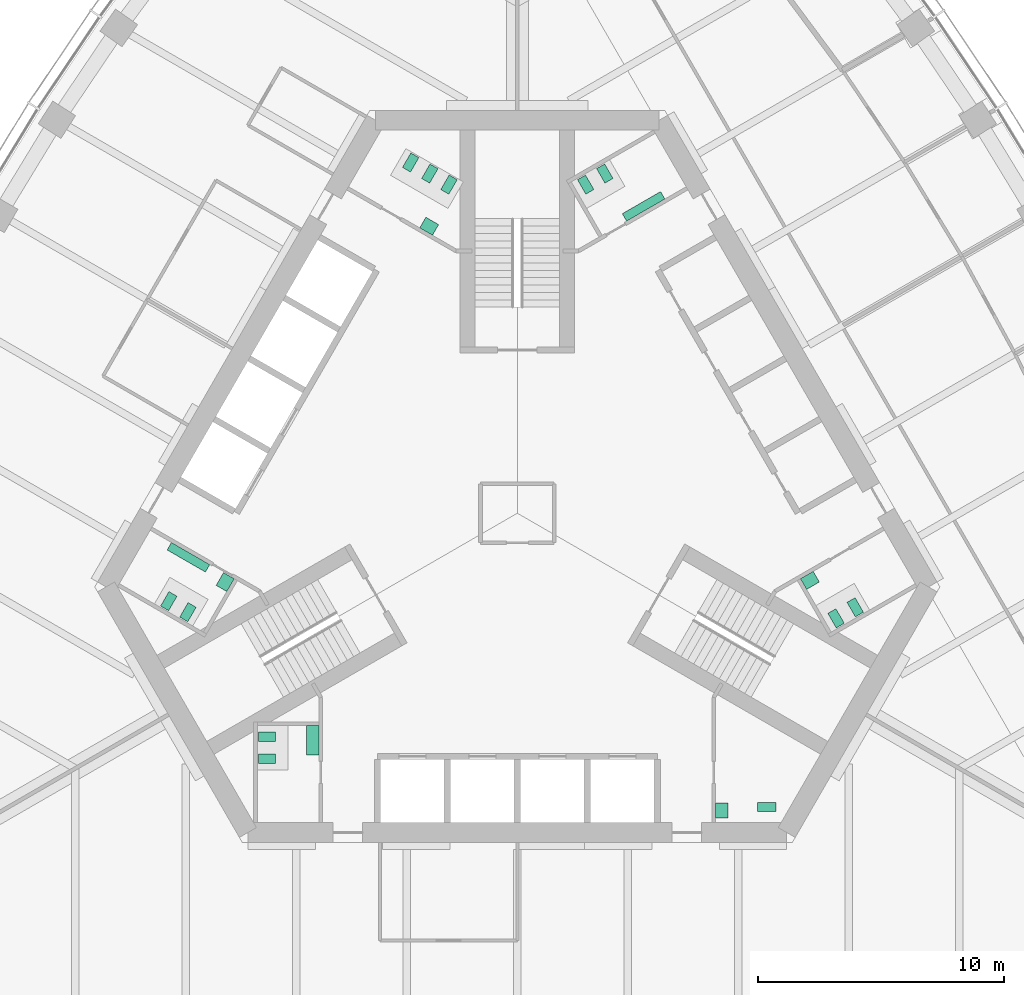
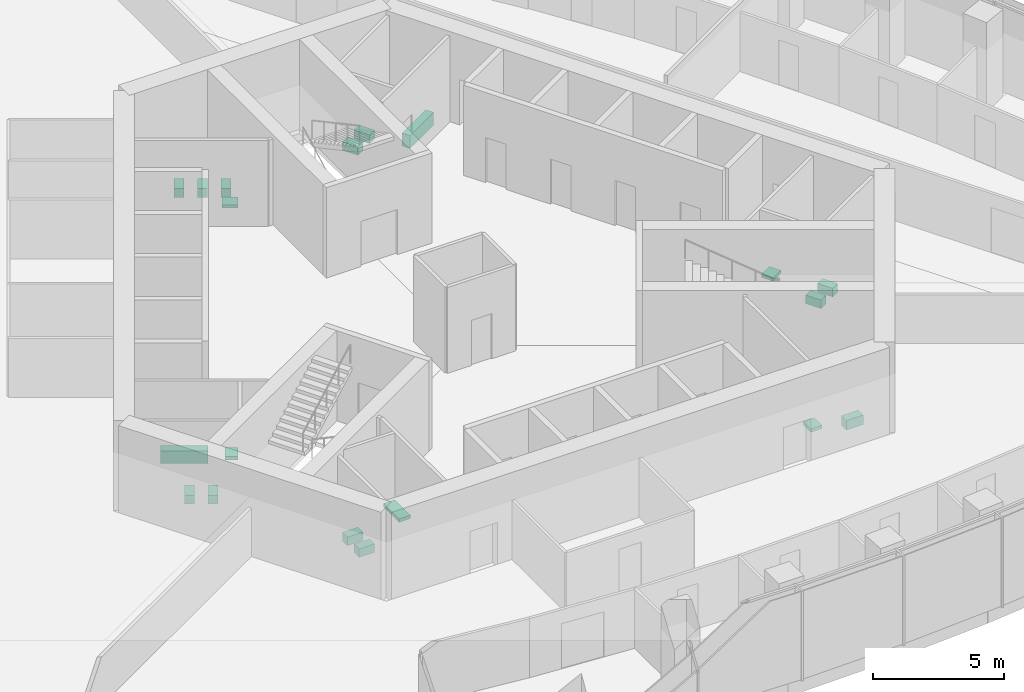
# One storey, part 19 of 20: 19 sanitary terminals.
"""IFC4 building model written with IfcOpenShell, lengths in metres."""

from ifc_helpers import new_model, si_unit, direction, frame, origin, place, context, subcontext, project, spatial, polyline, outline, extrude, material, type_object, element, save


model = new_model("IFC4")

# Units and contexts
model_context = context("Model", 3, precision=1e-05, world=origin(), true_north=direction((0.0, 1.0)))
body_context = subcontext(model_context, "Body", "Model", "MODEL_VIEW")
ifc_project = project(units=[si_unit("LENGTHUNIT", "METRE"), si_unit("AREAUNIT", "SQUARE_METRE"), si_unit("VOLUMEUNIT", "CUBIC_METRE"), si_unit("PLANEANGLEUNIT", "RADIAN"), si_unit("MASSUNIT", "GRAM", prefix="KILO")], contexts=[model_context])

# Site, building, storey
site_placement = place(None, origin())
site = spatial("IfcSite", under=ifc_project, at=site_placement, CompositionType="ELEMENT")
building_placement = place(site_placement, origin())
building = spatial("IfcBuilding", under=site, at=building_placement, Name="Trefoil Bronze Tower", CompositionType="ELEMENT")
storey_placement = place(building_placement, frame((0.0, 0.0, 210.699951171875)))
storey = spatial("IfcBuildingStorey", under=building, at=storey_placement, Name="L48", CompositionType="ELEMENT", Elevation=210.699951171875)

# Sanitary terminals
ifc_material_1 = material(Name="Vitreous china", Category="ceramic")
sanitary_terminal_type_1 = type_object("IfcSanitaryTerminalType", Name="Accessible WC pan", PredefinedType="TOILETPAN", material=ifc_material_1)
sanitary_terminal_1_placement = place(storey_placement, origin())
element("IfcSanitaryTerminal", 1, at=sanitary_terminal_1_placement, inside=storey, type_object=sanitary_terminal_type_1, Name="WC pan 1 Accessible WC L48", PredefinedType="TOILETPAN", context=body_context, shape_type="SweptSolid", body=[
    extrude(outline(polyline([(9.784912109375, -11.77001953125), (10.534912109375, -11.77001953125), (10.534912109375, -12.14990234375), (9.784912109375, -12.14990234375), (9.784912109375, -11.77001953125)])), origin(), (0.0, 0.0, 1.0), 0.449951171875),
])
ifc_material_2 = material(Name="Vitreous china", Category="ceramic")
sanitary_terminal_type_2 = type_object("IfcSanitaryTerminalType", Name="Accessible basin", PredefinedType="WASHHANDBASIN", material=ifc_material_2)
sanitary_terminal_2_placement = place(storey_placement, frame((0.0, 0.0, 0.650146484375)))
element("IfcSanitaryTerminal", 2, at=sanitary_terminal_2_placement, inside=storey, type_object=sanitary_terminal_type_2, Name="Wash basin Accessible WC L48", PredefinedType="WASHHANDBASIN", context=body_context, shape_type="SweptSolid", body=[
    extrude(outline(polyline([(8.074951171875, -11.800048828125), (8.574951171875, -11.800048828125), (8.574951171875, -12.39990234375), (8.074951171875, -12.39990234375), (8.074951171875, -11.800048828125)])), origin(), (0.0, 0.0, 1.0), 0.14990234375),
])
ifc_material_3 = material(Name="Vitreous china", Category="ceramic")
sanitary_terminal_type_3 = type_object("IfcSanitaryTerminalType", Name="Urinal range 3 urinals", PredefinedType="URINAL", material=ifc_material_3)
sanitary_terminal_3_placement = place(storey_placement, frame((0.0, 0.0, 0.400146484375)))
element("IfcSanitaryTerminal", 3, at=sanitary_terminal_3_placement, inside=storey, type_object=sanitary_terminal_type_3, Name="Urinal range WC (men) L48", PredefinedType="URINAL", context=body_context, shape_type="SweptSolid", body=[
    extrude(outline(polyline([(4.449462890625, 11.89306640625), (4.274658203125, 12.1962890625), (5.83349609375, 13.09619140625), (6.00830078125, 12.793212890625), (4.449462890625, 11.89306640625)])), origin(), (0.0, 0.0, 1.0), 0.599853515625),
])
sanitary_terminal_4_placement = place(storey_placement, frame((0.0, 0.0, 0.400146484375)))
element("IfcSanitaryTerminal", 4, at=sanitary_terminal_4_placement, inside=storey, type_object=sanitary_terminal_type_3, Name="Urinal range WC (men) L48", PredefinedType="URINAL", context=body_context, shape_type="SweptSolid", body=[
    extrude(outline(polyline([(-12.524658203125, -2.09326171875), (-12.699462890625, -2.396240234375), (-14.25830078125, -1.496337890625), (-14.08349609375, -1.193115234375), (-12.524658203125, -2.09326171875)])), origin(), (0.0, 0.0, 1.0), 0.599853515625),
])
ifc_material_4 = material(Name="Solid surface vanity", Category="plastic")
sanitary_terminal_type_4 = type_object("IfcSanitaryTerminalType", Name="Vanity unit 1 basins", PredefinedType="WASHHANDBASIN", material=ifc_material_4)
sanitary_terminal_5_placement = place(storey_placement, frame((0.0, 0.0, 0.75)))
element("IfcSanitaryTerminal", 5, at=sanitary_terminal_5_placement, inside=storey, type_object=sanitary_terminal_type_4, Name="Vanity unit WC (women) L48", PredefinedType="WASHHANDBASIN", context=body_context, shape_type="SweptSolid", body=[
    extrude(outline(polyline([(11.528564453125, -2.668212890625), (11.778564453125, -3.10107421875), (12.29833984375, -2.80126953125), (12.04833984375, -2.3681640625), (11.528564453125, -2.668212890625)])), origin(), (0.0, 0.0, 1.0), 0.150146484375),
])
sanitary_terminal_6_placement = place(storey_placement, frame((0.0, 0.0, 0.75)))
element("IfcSanitaryTerminal", 6, at=sanitary_terminal_6_placement, inside=storey, type_object=sanitary_terminal_type_4, Name="Vanity unit WC (women) L48", PredefinedType="WASHHANDBASIN", context=body_context, shape_type="SweptSolid", body=[
    extrude(outline(polyline([(-3.45361328125, 11.318115234375), (-3.20361328125, 11.751220703125), (-3.72314453125, 12.05126953125), (-3.97314453125, 11.6181640625), (-3.45361328125, 11.318115234375)])), origin(), (0.0, 0.0, 1.0), 0.150146484375),
])
sanitary_terminal_7_placement = place(storey_placement, frame((0.0, 0.0, 0.75)))
element("IfcSanitaryTerminal", 7, at=sanitary_terminal_7_placement, inside=storey, type_object=sanitary_terminal_type_4, Name="Vanity unit WC (men) L48", PredefinedType="WASHHANDBASIN", context=body_context, shape_type="SweptSolid", body=[
    extrude(outline(polyline([(-11.528564453125, -2.668212890625), (-11.82861328125, -3.187744140625), (-12.26171875, -2.937744140625), (-11.961669921875, -2.418212890625), (-11.528564453125, -2.668212890625)])), origin(), (0.0, 0.0, 1.0), 0.150146484375),
])
ifc_material_5 = material(Name="Solid surface vanity", Category="plastic")
sanitary_terminal_type_5 = type_object("IfcSanitaryTerminalType", Name="Vanity unit 2 basins", PredefinedType="WASHHANDBASIN", material=ifc_material_5)
sanitary_terminal_8_placement = place(storey_placement, frame((0.0, 0.0, 0.75)))
element("IfcSanitaryTerminal", 8, at=sanitary_terminal_8_placement, inside=storey, type_object=sanitary_terminal_type_5, Name="Vanity unit WC (women) L48", PredefinedType="WASHHANDBASIN", context=body_context, shape_type="SweptSolid", body=[
    extrude(outline(polyline([(-8.074951171875, -8.64990234375), (-8.574951171875, -8.64990234375), (-8.574951171875, -9.85009765625), (-8.074951171875, -9.85009765625), (-8.074951171875, -8.64990234375)])), origin(), (0.0, 0.0, 1.0), 0.150146484375),
])
ifc_material_6 = material(Name="Vitreous china", Category="ceramic")
sanitary_terminal_type_6 = type_object("IfcSanitaryTerminalType", Name="WC pan", PredefinedType="TOILETPAN", material=ifc_material_6)
sanitary_terminal_9_placement = place(storey_placement, origin())
element("IfcSanitaryTerminal", 9, at=sanitary_terminal_9_placement, inside=storey, type_object=sanitary_terminal_type_6, Name="WC pan 1 WC (women) L48", PredefinedType="TOILETPAN", context=body_context, shape_type="SweptSolid", body=[
    extrude(outline(polyline([(12.643798828125, -4.07958984375), (12.98388671875, -4.66845703125), (13.31298828125, -4.478515625), (12.972900390625, -3.8896484375), (12.643798828125, -4.07958984375)])), origin(), (0.0, 0.0, 1.0), 0.400146484375),
])
sanitary_terminal_10_placement = place(storey_placement, origin())
element("IfcSanitaryTerminal", 10, at=sanitary_terminal_10_placement, inside=storey, type_object=sanitary_terminal_type_6, Name="WC pan 2 WC (women) L48", PredefinedType="TOILETPAN", context=body_context, shape_type="SweptSolid", body=[
    extrude(outline(polyline([(13.423095703125, -3.629638671875), (13.76318359375, -4.218505859375), (14.09228515625, -4.028564453125), (13.752197265625, -3.439697265625), (13.423095703125, -3.629638671875)])), origin(), (0.0, 0.0, 1.0), 0.400146484375),
])
sanitary_terminal_11_placement = place(storey_placement, origin())
element("IfcSanitaryTerminal", 11, at=sanitary_terminal_11_placement, inside=storey, type_object=sanitary_terminal_type_6, Name="WC pan 1 WC (men) L48", PredefinedType="TOILETPAN", context=body_context, shape_type="SweptSolid", body=[
    extrude(outline(polyline([(2.788818359375, 12.98974609375), (2.44873046875, 13.57861328125), (2.77783203125, 13.7685546875), (3.117919921875, 13.1796875), (2.788818359375, 12.98974609375)])), origin(), (0.0, 0.0, 1.0), 0.400146484375),
])
sanitary_terminal_12_placement = place(storey_placement, origin())
element("IfcSanitaryTerminal", 12, at=sanitary_terminal_12_placement, inside=storey, type_object=sanitary_terminal_type_6, Name="WC pan 2 WC (men) L48", PredefinedType="TOILETPAN", context=body_context, shape_type="SweptSolid", body=[
    extrude(outline(polyline([(3.568115234375, 13.439697265625), (3.228271484375, 14.028564453125), (3.557373046875, 14.218505859375), (3.897216796875, 13.629638671875), (3.568115234375, 13.439697265625)])), origin(), (0.0, 0.0, 1.0), 0.400146484375),
])
sanitary_terminal_13_placement = place(storey_placement, origin())
element("IfcSanitaryTerminal", 13, at=sanitary_terminal_13_placement, inside=storey, type_object=sanitary_terminal_type_6, Name="WC pan 1 WC (women) L48", PredefinedType="TOILETPAN", context=body_context, shape_type="SweptSolid", body=[
    extrude(outline(polyline([(-2.788818359375, 12.98974609375), (-2.44873046875, 13.57861328125), (-2.77783203125, 13.7685546875), (-3.117919921875, 13.1796875), (-2.788818359375, 12.98974609375)])), origin(), (0.0, 0.0, 1.0), 0.400146484375),
])
sanitary_terminal_14_placement = place(storey_placement, origin())
element("IfcSanitaryTerminal", 14, at=sanitary_terminal_14_placement, inside=storey, type_object=sanitary_terminal_type_6, Name="WC pan 2 WC (women) L48", PredefinedType="TOILETPAN", context=body_context, shape_type="SweptSolid", body=[
    extrude(outline(polyline([(-3.568115234375, 13.439697265625), (-3.228271484375, 14.028564453125), (-3.557373046875, 14.218505859375), (-3.897216796875, 13.629638671875), (-3.568115234375, 13.439697265625)])), origin(), (0.0, 0.0, 1.0), 0.400146484375),
])
sanitary_terminal_15_placement = place(storey_placement, origin())
element("IfcSanitaryTerminal", 15, at=sanitary_terminal_15_placement, inside=storey, type_object=sanitary_terminal_type_6, Name="WC pan 3 WC (women) L48", PredefinedType="TOILETPAN", context=body_context, shape_type="SweptSolid", body=[
    extrude(outline(polyline([(-4.34765625, 13.8896484375), (-4.007568359375, 14.478515625), (-4.336669921875, 14.66845703125), (-4.6767578125, 14.07958984375), (-4.34765625, 13.8896484375)])), origin(), (0.0, 0.0, 1.0), 0.400146484375),
])
sanitary_terminal_16_placement = place(storey_placement, origin())
element("IfcSanitaryTerminal", 16, at=sanitary_terminal_16_placement, inside=storey, type_object=sanitary_terminal_type_6, Name="WC pan 1 WC (men) L48", PredefinedType="TOILETPAN", context=body_context, shape_type="SweptSolid", body=[
    extrude(outline(polyline([(-13.076904296875, -3.82958984375), (-13.416748046875, -4.41845703125), (-13.745849609375, -4.228515625), (-13.406005859375, -3.6396484375), (-13.076904296875, -3.82958984375)])), origin(), (0.0, 0.0, 1.0), 0.400146484375),
])
sanitary_terminal_17_placement = place(storey_placement, origin())
element("IfcSanitaryTerminal", 17, at=sanitary_terminal_17_placement, inside=storey, type_object=sanitary_terminal_type_6, Name="WC pan 2 WC (men) L48", PredefinedType="TOILETPAN", context=body_context, shape_type="SweptSolid", body=[
    extrude(outline(polyline([(-13.856201171875, -3.379638671875), (-14.1962890625, -3.968505859375), (-14.525390625, -3.778564453125), (-14.185302734375, -3.189697265625), (-13.856201171875, -3.379638671875)])), origin(), (0.0, 0.0, 1.0), 0.400146484375),
])
sanitary_terminal_18_placement = place(storey_placement, origin())
element("IfcSanitaryTerminal", 18, at=sanitary_terminal_18_placement, inside=storey, type_object=sanitary_terminal_type_6, Name="WC pan 1 WC (women) L48", PredefinedType="TOILETPAN", context=body_context, shape_type="SweptSolid", body=[
    extrude(outline(polyline([(-9.85498046875, -8.909912109375), (-10.534912109375, -8.909912109375), (-10.534912109375, -9.2900390625), (-9.85498046875, -9.2900390625), (-9.85498046875, -8.909912109375)])), origin(), (0.0, 0.0, 1.0), 0.400146484375),
])
sanitary_terminal_19_placement = place(storey_placement, origin())
element("IfcSanitaryTerminal", 19, at=sanitary_terminal_19_placement, inside=storey, type_object=sanitary_terminal_type_6, Name="WC pan 2 WC (women) L48", PredefinedType="TOILETPAN", context=body_context, shape_type="SweptSolid", body=[
    extrude(outline(polyline([(-9.85498046875, -9.81005859375), (-10.534912109375, -9.81005859375), (-10.534912109375, -10.18994140625), (-9.85498046875, -10.18994140625), (-9.85498046875, -9.81005859375)])), origin(), (0.0, 0.0, 1.0), 0.400146484375),
])

save(model, "model.ifc")
